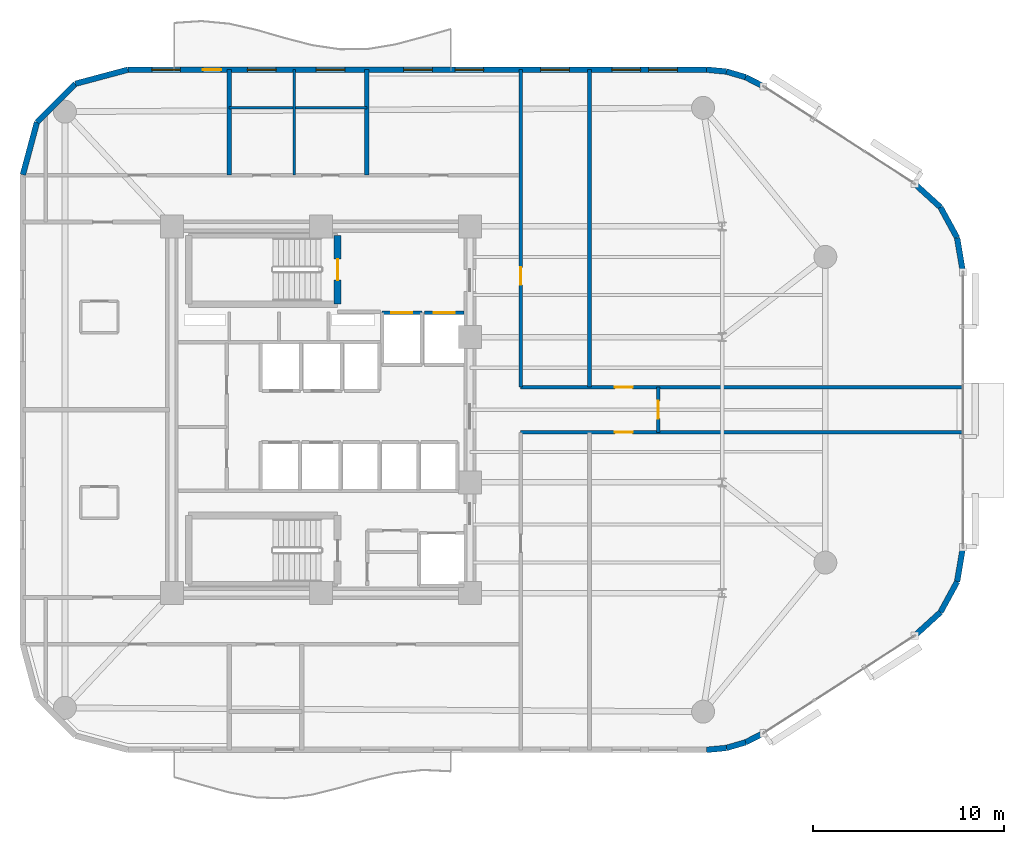
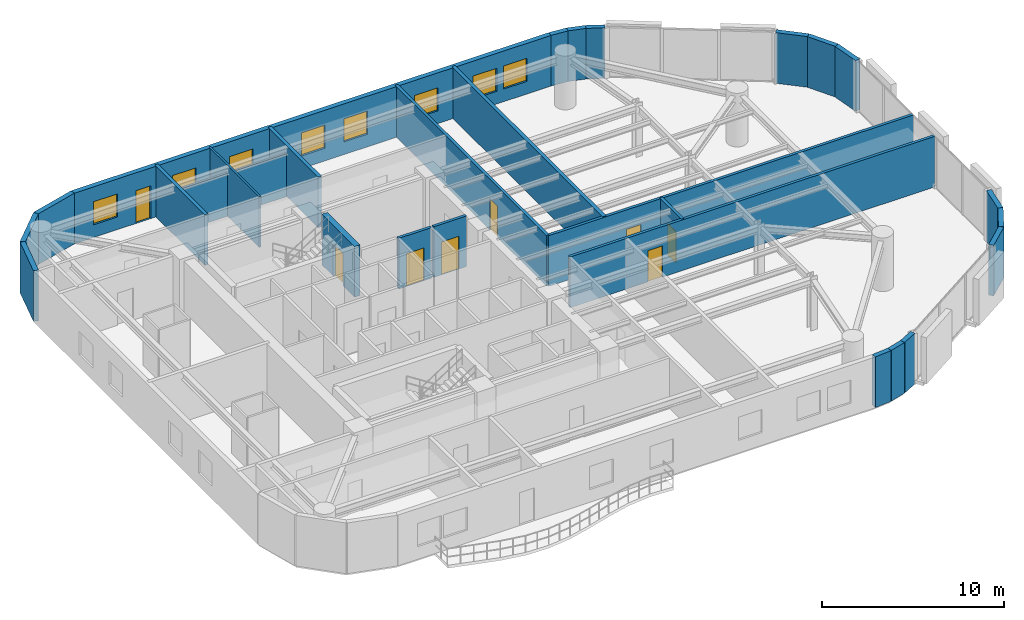
# One storey, part 12 of 15: 28 walls, 8 doors, 8 windows, 16 openings.
"""IFC4 building model written with IfcOpenShell, lengths in metres."""

from ifc_helpers import new_model, si_unit, direction, frame, frame_2d, origin, place, context, subcontext, project, spatial, rectangle, extrude, material, layer, layer_set, type_object, element, fill, save


model = new_model("IFC4")

# Units and contexts
model_context = context("Model", 3, precision=1e-05, world=origin(), true_north=direction((0.0, 1.0)))
body_context = subcontext(model_context, "Body", "Model", "MODEL_VIEW")
ifc_project = project(units=[si_unit("LENGTHUNIT", "METRE"), si_unit("AREAUNIT", "SQUARE_METRE"), si_unit("VOLUMEUNIT", "CUBIC_METRE"), si_unit("PLANEANGLEUNIT", "RADIAN"), si_unit("MASSUNIT", "GRAM", prefix="KILO")], contexts=[model_context])

# Site, building, storey
site_placement = place(None, origin())
site = spatial("IfcSite", under=ifc_project, at=site_placement, CompositionType="ELEMENT")
building_placement = place(site_placement, origin())
building = spatial("IfcBuilding", under=site, at=building_placement, Name="An Khanh Terracotta Commons", CompositionType="ELEMENT")
storey_placement = place(building_placement, frame((0.0, 0.0, 176.199951171875)))
storey = spatial("IfcBuildingStorey", under=building, at=storey_placement, Name="L46", CompositionType="ELEMENT", Elevation=176.199951171875)

# Wall, opening, door
ifc_material_1 = material(Name="Fire-Rated Gypsum Board on Steel Stud", Category="steel")
ifc_layer_1 = layer(ifc_material_1, 0.179931640625, Name="Fire-Rated Gypsum Board on Steel Stud")
ifc_layer_set_1 = layer_set([ifc_layer_1], Name="Fire-Rated Gypsum Board on Steel Stud")
wall_type_1 = type_object("IfcWallType", Name="WALL-CORR-180", PredefinedType="PARTITIONING", material=ifc_layer_set_1)
wall_1_placement = place(storey_placement, frame((32.60009765625, 29.080078125, 0.0), z_axis=(0.0, 0.0, 1.0), x_axis=(1.0, 0.0, 0.0)))
wall_1 = element("IfcWall", 1, at=wall_1_placement, inside=storey, type_object=wall_type_1, Name="L46 Core Wall LSH-L46-FFL-01-N", PredefinedType="PARTITIONING", context=body_context, shape_type="SweptSolid", body=[
    extrude(rectangle(XDim=2.079833984375, YDim=0.179931640625, at=frame_2d((1.0400390625, 0.0))), origin(), (0.0, 0.0, 1.0), 3.400146484375),
])
opening_1_placement = place(wall_1_placement, frame((0.489990234375, 0.0, 0.0)))
opening_1 = element("IfcOpeningElement", 2, at=opening_1_placement, cuts=wall_1, Name="Opening LD-FFL-01-L46", PredefinedType="OPENING", context=body_context, shape_type="SweptSolid", body=[
    extrude(rectangle(XDim=1.10009765625, YDim=2.199951171875, at=frame_2d((0.550048828125, 1.10009765625))), frame((0.0, 0.099853515625, 0.0), z_axis=(0.0, -1.0, 0.0), x_axis=(1.0, 0.0, 0.0)), (0.0, 0.0, 1.0), 0.199951171875),
])
ifc_material_2 = material(Name="Brushed Stainless Steel Fire Landing Door", Category="steel")
door_type_1 = type_object("IfcDoorType", Name="DOOR-LD-FFL-1100", OperationType="NOTDEFINED", PredefinedType="DOOR", material=ifc_material_2)
door_1_placement = place(opening_1_placement, origin())
door_1 = element("IfcDoor", 3, at=door_1_placement, inside=storey, type_object=door_type_1, Name="L46 Lift FFL-01 Sliding Landing Door", OperationType="DOUBLE_DOOR_SLIDING", OverallHeight=2.199951171875, OverallWidth=1.10009765625, PredefinedType="DOOR", context=body_context, shape_type="SweptSolid", body=[
    extrude(rectangle(XDim=1.10009765625, YDim=2.199951171875, at=frame_2d((0.550048828125, 1.10009765625))), frame((0.0, 0.02490234375, 0.0), z_axis=(0.0, -1.0, 0.0), x_axis=(1.0, 0.0, 0.0)), (0.0, 0.0, 1.0), 0.050048828125),
])
fill(opening_1, door_1)

wall_2_placement = place(storey_placement, frame((34.820068359375, 29.080078125, 0.0), z_axis=(0.0, 0.0, 1.0), x_axis=(1.0, 0.0, 0.0)))
wall_2 = element("IfcWall", 4, at=wall_2_placement, inside=storey, type_object=wall_type_1, Name="L46 Core Wall LSH-L46-FFL-02-N", PredefinedType="PARTITIONING", context=body_context, shape_type="SweptSolid", body=[
    extrude(rectangle(XDim=2.079833984375, YDim=0.179931640625, at=frame_2d((1.0400390625, 0.0))), origin(), (0.0, 0.0, 1.0), 3.400146484375),
])
opening_2_placement = place(wall_2_placement, frame((0.489990234375, 0.0, 0.0)))
opening_2 = element("IfcOpeningElement", 5, at=opening_2_placement, cuts=wall_2, Name="Opening LD-FFL-02-L46", PredefinedType="OPENING", context=body_context, shape_type="SweptSolid", body=[
    extrude(rectangle(XDim=1.10009765625, YDim=2.199951171875, at=frame_2d((0.550048828125, 1.10009765625))), frame((0.0, 0.099853515625, 0.0), z_axis=(0.0, -1.0, 0.0), x_axis=(1.0, 0.0, 0.0)), (0.0, 0.0, 1.0), 0.199951171875),
])
door_2_placement = place(opening_2_placement, origin())
door_2 = element("IfcDoor", 6, at=door_2_placement, inside=storey, type_object=door_type_1, Name="L46 Lift FFL-02 Sliding Landing Door", OperationType="DOUBLE_DOOR_SLIDING", OverallHeight=2.199951171875, OverallWidth=1.10009765625, PredefinedType="DOOR", context=body_context, shape_type="SweptSolid", body=[
    extrude(rectangle(XDim=1.10009765625, YDim=2.199951171875, at=frame_2d((0.550048828125, 1.10009765625))), frame((0.0, 0.02490234375, 0.0), z_axis=(0.0, -1.0, 0.0), x_axis=(1.0, 0.0, 0.0)), (0.0, 0.0, 1.0), 0.050048828125),
])
fill(opening_2, door_2)

wall_3_placement = place(storey_placement, frame((39.85009765625, 22.820068359375, 0.0), z_axis=(0.0, 0.0, 1.0), x_axis=(1.0, 0.0, 0.0)))
wall_3 = element("IfcWall", 7, at=wall_3_placement, inside=storey, type_object=wall_type_1, Name="L46 Interior Partition IW-L46-E004", PredefinedType="PARTITIONING", context=body_context, shape_type="SweptSolid", body=[
    extrude(rectangle(XDim=23.14990234375, YDim=0.179931640625, at=frame_2d((11.574951171875, 0.0))), origin(), (0.0, 0.0, 1.0), 3.400146484375),
])
opening_3_placement = place(wall_3_placement, frame((4.93994140625, 0.0, 0.0)))
opening_3 = element("IfcOpeningElement", 8, at=opening_3_placement, cuts=wall_3, Name="Opening D-RM", PredefinedType="OPENING", context=body_context, shape_type="SweptSolid", body=[
    extrude(rectangle(XDim=0.919921875, YDim=2.10009765625, at=frame_2d((0.4599609375, 1.050048828125))), frame((0.0, 0.099853515625, 0.0), z_axis=(0.0, -1.0, 0.0), x_axis=(1.0, 0.0, 0.0)), (0.0, 0.0, 1.0), 0.199951171875),
])
ifc_material_3 = material(Name="Engineered Hardwood Timber Leaf", Category="wood")
door_type_2 = type_object("IfcDoorType", Name="DOOR-INT-920", OperationType="NOTDEFINED", PredefinedType="DOOR", material=ifc_material_3)
door_3_placement = place(opening_3_placement, origin())
door_3 = element("IfcDoor", 9, at=door_3_placement, inside=storey, type_object=door_type_2, Name="L46 T5SE Group Tutorial Meeting Room Door", OperationType="SINGLE_SWING_LEFT", OverallHeight=2.10009765625, OverallWidth=0.919921875, PredefinedType="DOOR", context=body_context, shape_type="SweptSolid", body=[
    extrude(rectangle(XDim=0.919921875, YDim=2.10009765625, at=frame_2d((0.4599609375, 1.050048828125))), frame((0.0, 0.02490234375, 0.0), z_axis=(0.0, -1.0, 0.0), x_axis=(1.0, 0.0, 0.0)), (0.0, 0.0, 1.0), 0.050048828125),
])
fill(opening_3, door_3)

wall_4_placement = place(storey_placement, frame((39.85009765625, 25.179931640625, 0.0), z_axis=(0.0, 0.0, 1.0), x_axis=(1.0, 0.0, 0.0)))
wall_4 = element("IfcWall", 10, at=wall_4_placement, inside=storey, type_object=wall_type_1, Name="L46 Interior Partition IW-L46-E006", PredefinedType="PARTITIONING", context=body_context, shape_type="SweptSolid", body=[
    extrude(rectangle(XDim=23.14990234375, YDim=0.179931640625, at=frame_2d((11.574951171875, 0.0))), origin(), (0.0, 0.0, 1.0), 3.400146484375),
])
opening_4_placement = place(wall_4_placement, frame((4.93994140625, 0.0, 0.0)))
opening_4 = element("IfcOpeningElement", 11, at=opening_4_placement, cuts=wall_4, Name="Opening D-RM", PredefinedType="OPENING", context=body_context, shape_type="SweptSolid", body=[
    extrude(rectangle(XDim=0.919921875, YDim=2.10009765625, at=frame_2d((0.4599609375, 1.050048828125))), frame((0.0, 0.099853515625, 0.0), z_axis=(0.0, -1.0, 0.0), x_axis=(1.0, 0.0, 0.0)), (0.0, 0.0, 1.0), 0.199951171875),
])
door_4_placement = place(opening_4_placement, origin())
door_4 = element("IfcDoor", 12, at=door_4_placement, inside=storey, type_object=door_type_2, Name="L46 T5NE Group Tutorial Meeting Room Door", OperationType="SINGLE_SWING_LEFT", OverallHeight=2.10009765625, OverallWidth=0.919921875, PredefinedType="DOOR", context=body_context, shape_type="SweptSolid", body=[
    extrude(rectangle(XDim=0.919921875, YDim=2.10009765625, at=frame_2d((0.4599609375, 1.050048828125))), frame((0.0, 0.02490234375, 0.0), z_axis=(0.0, -1.0, 0.0), x_axis=(1.0, 0.0, 0.0)), (0.0, 0.0, 1.0), 0.050048828125),
])
fill(opening_4, door_4)

wall_5_placement = place(storey_placement, frame((39.85009765625, 25.179931640625, 0.0), z_axis=(0.0, 0.0, 1.0), x_axis=(0.0, 1.0, 0.0)))
wall_5 = element("IfcWall", 13, at=wall_5_placement, inside=storey, type_object=wall_type_1, Name="L46 Interior Partition IW-L46-E018", PredefinedType="PARTITIONING", context=body_context, shape_type="SweptSolid", body=[
    extrude(rectangle(XDim=16.6201171875, YDim=0.179931640625, at=frame_2d((8.31005859375, 0.0))), origin(), (0.0, 0.0, 1.0), 3.400146484375),
])
opening_5_placement = place(wall_5_placement, frame((5.35009765625, 0.0, 0.0)))
opening_5 = element("IfcOpeningElement", 14, at=opening_5_placement, cuts=wall_5, Name="Opening D-RM", PredefinedType="OPENING", context=body_context, shape_type="SweptSolid", body=[
    extrude(rectangle(XDim=0.919921875, YDim=2.10009765625, at=frame_2d((0.4599609375, 1.050048828125))), frame((0.0, 0.099853515625, 0.0), z_axis=(0.0, -1.0, 0.0), x_axis=(1.0, 0.0, 0.0)), (0.0, 0.0, 1.0), 0.199951171875),
])
door_5_placement = place(opening_5_placement, origin())
door_5 = element("IfcDoor", 15, at=door_5_placement, inside=storey, type_object=door_type_2, Name="L46 T5NW Group Tutorial Meeting Room Door", OperationType="SINGLE_SWING_LEFT", OverallHeight=2.10009765625, OverallWidth=0.919921875, PredefinedType="DOOR", context=body_context, shape_type="SweptSolid", body=[
    extrude(rectangle(XDim=0.919921875, YDim=2.10009765625, at=frame_2d((0.4599609375, 1.050048828125))), frame((0.0, 0.02490234375, 0.0), z_axis=(0.0, -1.0, 0.0), x_axis=(1.0, 0.0, 0.0)), (0.0, 0.0, 1.0), 0.050048828125),
])
fill(opening_5, door_5)

wall_6_placement = place(storey_placement, frame((47.050048828125, 22.820068359375, 0.0), z_axis=(0.0, 0.0, 1.0), x_axis=(0.0, 1.0, 0.0)))
wall_6 = element("IfcWall", 16, at=wall_6_placement, inside=storey, type_object=wall_type_1, Name="L46 Interior Partition IW-L46-E021", PredefinedType="PARTITIONING", context=body_context, shape_type="SweptSolid", body=[
    extrude(rectangle(XDim=2.35986328125, YDim=0.179931640625, at=frame_2d((1.179931640625, 0.0))), origin(), (0.0, 0.0, 1.0), 3.400146484375),
])
opening_6_placement = place(wall_6_placement, frame((0.719970703125, 0.0, 0.0)))
opening_6 = element("IfcOpeningElement", 17, at=opening_6_placement, cuts=wall_6, Name="Opening D-RM", PredefinedType="OPENING", context=body_context, shape_type="SweptSolid", body=[
    extrude(rectangle(XDim=0.919921875, YDim=2.10009765625, at=frame_2d((0.4599609375, 1.050048828125))), frame((0.0, 0.099853515625, 0.0), z_axis=(0.0, -1.0, 0.0), x_axis=(1.0, 0.0, 0.0)), (0.0, 0.0, 1.0), 0.199951171875),
])
door_6_placement = place(opening_6_placement, origin())
door_6 = element("IfcDoor", 18, at=door_6_placement, inside=storey, type_object=door_type_2, Name="L46 T5ME Academic Seminar Room Door", OperationType="SINGLE_SWING_RIGHT", OverallHeight=2.10009765625, OverallWidth=0.919921875, PredefinedType="DOOR", context=body_context, shape_type="SweptSolid", body=[
    extrude(rectangle(XDim=0.919921875, YDim=2.10009765625, at=frame_2d((0.4599609375, 1.050048828125))), frame((0.0, 0.02490234375, 0.0), z_axis=(0.0, -1.0, 0.0), x_axis=(1.0, 0.0, 0.0)), (0.0, 0.0, 1.0), 0.050048828125),
])
fill(opening_6, door_6)

# Walls
ifc_material_4 = material(Name="Precast concrete C40/50", Category="concrete")
ifc_layer_2 = layer(ifc_material_4, 0.300048828125, Name="Precast concrete C40/50")
ifc_layer_set_2 = layer_set([ifc_layer_2], Name="Precast concrete C40/50")
wall_type_2 = type_object("IfcWallType", Name="WALL-EXT-300", PredefinedType="SOLIDWALL", material=ifc_layer_set_2)
wall_7_placement = place(storey_placement, frame((49.58203125, 6.199951171875, 0.0), z_axis=(0.0, 0.0, 1.0), x_axis=(0.995426089968, 0.095534807324, 0.0)))
element("IfcWall", 19, at=wall_7_placement, inside=storey, type_object=wall_type_2, Name="L46 Insulated Terracotta Exterior Wall 5", PredefinedType="SOLIDWALL", context=body_context, shape_type="SweptSolid", body=[
    extrude(rectangle(XDim=1.0478515625, YDim=0.300048828125, at=frame_2d((0.52392578125, 0.0))), origin(), (0.0, 0.0, 1.0), 3.400146484375),
])
wall_8_placement = place(storey_placement, frame((50.625, 6.300048828125, 0.0), z_axis=(0.0, 0.0, 1.0), x_axis=(0.959528674476, 0.281610942363, 0.0)))
element("IfcWall", 20, at=wall_8_placement, inside=storey, type_object=wall_type_2, Name="L46 Insulated Terracotta Exterior Wall 6", PredefinedType="SOLIDWALL", context=body_context, shape_type="SweptSolid", body=[
    extrude(rectangle(XDim=1.04736328125, YDim=0.300048828125, at=frame_2d((0.523681640625, 0.0))), origin(), (0.0, 0.0, 1.0), 3.400146484375),
])
wall_9_placement = place(storey_placement, frame((51.6298828125, 6.594970703125, 0.0), z_axis=(0.0, 0.0, 1.0), x_axis=(0.888283247196, 0.459296062198, 0.0)))
element("IfcWall", 21, at=wall_9_placement, inside=storey, type_object=wall_type_2, Name="L46 Insulated Terracotta Exterior Wall 7", PredefinedType="SOLIDWALL", context=body_context, shape_type="SweptSolid", body=[
    extrude(rectangle(XDim=1.047119140625, YDim=0.300048828125, at=frame_2d((0.5234375, 0.0))), origin(), (0.0, 0.0, 1.0), 3.400146484375),
])
wall_10_placement = place(storey_placement, frame((60.47802734375, 12.176025390625, 0.0), z_axis=(0.0, 0.0, 1.0), x_axis=(0.73947929393, 0.673179302897, 0.0)))
element("IfcWall", 22, at=wall_10_placement, inside=storey, type_object=wall_type_2, Name="L46 Insulated Terracotta Exterior Wall 9", PredefinedType="SOLIDWALL", context=body_context, shape_type="SweptSolid", body=[
    extrude(rectangle(XDim=1.82275390625, YDim=0.300048828125, at=frame_2d((0.911376953125, 0.0))), origin(), (0.0, 0.0, 1.0), 3.400146484375),
])
wall_11_placement = place(storey_placement, frame((61.825927734375, 13.403076171875, 0.0), z_axis=(0.0, 0.0, 1.0), x_axis=(0.478608030646, 0.878028674362, 0.0)))
element("IfcWall", 23, at=wall_11_placement, inside=storey, type_object=wall_type_2, Name="L46 Insulated Terracotta Exterior Wall 10", PredefinedType="SOLIDWALL", context=body_context, shape_type="SweptSolid", body=[
    extrude(rectangle(XDim=1.822021484375, YDim=0.300048828125, at=frame_2d((0.9111328125, 0.0))), origin(), (0.0, 0.0, 1.0), 3.400146484375),
])
for number, where, z_axis, x_axis, name in (
    (24, (62.697998046875, 15.0029296875, 0.0), (0.0, 0.0, 1.0), (0.165724081207, 0.986172159873, 0.0), "L46 Insulated Terracotta Exterior Wall 11"),
    (25, (63.0, 31.199951171875, 0.0), (0.0, 0.0, 1.0), (-0.165724081207, 0.986172159873, 0.0), "L46 Insulated Terracotta Exterior Wall 13"),
):
    element("IfcWall", number, at=place(storey_placement, frame(where, z_axis=z_axis, x_axis=x_axis)), inside=storey, type_object=wall_type_2, Name=name, PredefinedType="SOLIDWALL", context=body_context, shape_type="SweptSolid", body=[
        extrude(rectangle(XDim=1.822265625, YDim=0.300048828125, at=frame_2d((0.9111328125, 0.0))), origin(), (0.0, 0.0, 1.0), 3.400146484375),
    ])
wall_12_placement = place(storey_placement, frame((62.697998046875, 32.9970703125, 0.0), z_axis=(0.0, 0.0, 1.0), x_axis=(-0.478608030646, 0.878028674362, 0.0)))
element("IfcWall", 26, at=wall_12_placement, inside=storey, type_object=wall_type_2, Name="L46 Insulated Terracotta Exterior Wall 14", PredefinedType="SOLIDWALL", context=body_context, shape_type="SweptSolid", body=[
    extrude(rectangle(XDim=1.822021484375, YDim=0.300048828125, at=frame_2d((0.9111328125, 0.0))), origin(), (0.0, 0.0, 1.0), 3.400146484375),
])
wall_13_placement = place(storey_placement, frame((61.825927734375, 34.596923828125, 0.0), z_axis=(0.0, 0.0, 1.0), x_axis=(-0.73947929393, 0.673179302897, 0.0)))
element("IfcWall", 27, at=wall_13_placement, inside=storey, type_object=wall_type_2, Name="L46 Insulated Terracotta Exterior Wall 15", PredefinedType="SOLIDWALL", context=body_context, shape_type="SweptSolid", body=[
    extrude(rectangle(XDim=1.82275390625, YDim=0.300048828125, at=frame_2d((0.911376953125, 0.0))), origin(), (0.0, 0.0, 1.0), 3.400146484375),
])
wall_14_placement = place(storey_placement, frame((52.56005859375, 40.924072265625, 0.0), z_axis=(0.0, 0.0, 1.0), x_axis=(-0.888283247196, 0.459296062198, 0.0)))
element("IfcWall", 28, at=wall_14_placement, inside=storey, type_object=wall_type_2, Name="L46 Insulated Terracotta Exterior Wall 17", PredefinedType="SOLIDWALL", context=body_context, shape_type="SweptSolid", body=[
    extrude(rectangle(XDim=1.047119140625, YDim=0.300048828125, at=frame_2d((0.5234375, 0.0))), origin(), (0.0, 0.0, 1.0), 3.400146484375),
])
wall_15_placement = place(storey_placement, frame((51.6298828125, 41.405029296875, 0.0), z_axis=(0.0, 0.0, 1.0), x_axis=(-0.959528674476, 0.281610942363, 0.0)))
element("IfcWall", 29, at=wall_15_placement, inside=storey, type_object=wall_type_2, Name="L46 Insulated Terracotta Exterior Wall 18", PredefinedType="SOLIDWALL", context=body_context, shape_type="SweptSolid", body=[
    extrude(rectangle(XDim=1.04736328125, YDim=0.300048828125, at=frame_2d((0.523681640625, 0.0))), origin(), (0.0, 0.0, 1.0), 3.400146484375),
])
wall_16_placement = place(storey_placement, frame((50.625, 41.699951171875, 0.0), z_axis=(0.0, 0.0, 1.0), x_axis=(-0.995426089968, 0.095534807324, 0.0)))
element("IfcWall", 30, at=wall_16_placement, inside=storey, type_object=wall_type_2, Name="L46 Insulated Terracotta Exterior Wall 19", PredefinedType="SOLIDWALL", context=body_context, shape_type="SweptSolid", body=[
    extrude(rectangle(XDim=1.0478515625, YDim=0.300048828125, at=frame_2d((0.52392578125, 0.0))), origin(), (0.0, 0.0, 1.0), 3.400146484375),
])

# Wall, openings, door, windows
wall_17_placement = place(storey_placement, frame((49.58203125, 41.800048828125, 0.0), z_axis=(0.0, 0.0, 1.0), x_axis=(-1.0, 0.0, 0.0)))
wall_17 = element("IfcWall", 31, at=wall_17_placement, inside=storey, type_object=wall_type_2, Name="L46 Insulated Terracotta Exterior Wall 20", PredefinedType="SOLIDWALL", context=body_context, shape_type="SweptSolid", body=[
    extrude(rectangle(XDim=30.281982421875, YDim=0.300048828125, at=frame_2d((15.14111328125, 0.0))), origin(), (0.0, 0.0, 1.0), 3.400146484375),
])
opening_7_placement = place(wall_17_placement, frame((25.406982421875, 0.0, 0.0)))
opening_7 = element("IfcOpeningElement", 32, at=opening_7_placement, cuts=wall_17, Name="Opening D-BAL", PredefinedType="OPENING", context=body_context, shape_type="SweptSolid", body=[
    extrude(rectangle(XDim=0.949951171875, YDim=2.199951171875, at=frame_2d((0.47509765625, 1.10009765625))), frame((0.0, 0.159912109375, 0.0), z_axis=(0.0, -1.0, 0.0), x_axis=(1.0, 0.0, 0.0)), (0.0, 0.0, 1.0), 0.320068359375),
])
opening_8_placement = place(wall_17_placement, frame((1.527099609375, 0.0, 0.85009765625)))
opening_8 = element("IfcOpeningElement", 33, at=opening_8_placement, cuts=wall_17, Name="Opening W-03", PredefinedType="OPENING", context=body_context, shape_type="SweptSolid", body=[
    extrude(rectangle(XDim=1.5, YDim=1.550048828125, at=frame_2d((0.75, 0.77490234375))), frame((0.0, 0.159912109375, 0.0), z_axis=(0.0, -1.0, 0.0), x_axis=(1.0, 0.0, 0.0)), (0.0, 0.0, 1.0), 0.320068359375),
])
opening_9_placement = place(wall_17_placement, frame((3.455078125, 0.0, 0.85009765625)))
opening_9 = element("IfcOpeningElement", 34, at=opening_9_placement, cuts=wall_17, Name="Opening W-03", PredefinedType="OPENING", context=body_context, shape_type="SweptSolid", body=[
    extrude(rectangle(XDim=1.5, YDim=1.550048828125, at=frame_2d((0.75, 0.77490234375))), frame((0.0, 0.159912109375, 0.0), z_axis=(0.0, -1.0, 0.0), x_axis=(1.0, 0.0, 0.0)), (0.0, 0.0, 1.0), 0.320068359375),
])
opening_10_placement = place(wall_17_placement, frame((7.181884765625, 0.0, 0.85009765625)))
opening_10 = element("IfcOpeningElement", 35, at=opening_10_placement, cuts=wall_17, Name="Opening W-03", PredefinedType="OPENING", context=body_context, shape_type="SweptSolid", body=[
    extrude(rectangle(XDim=1.5, YDim=1.550048828125, at=frame_2d((0.75, 0.77490234375))), frame((0.0, 0.159912109375, 0.0), z_axis=(0.0, -1.0, 0.0), x_axis=(1.0, 0.0, 0.0)), (0.0, 0.0, 1.0), 0.320068359375),
])
opening_11_placement = place(wall_17_placement, frame((11.6650390625, 0.0, 0.85009765625)))
opening_11 = element("IfcOpeningElement", 36, at=opening_11_placement, cuts=wall_17, Name="Opening W-03", PredefinedType="OPENING", context=body_context, shape_type="SweptSolid", body=[
    extrude(rectangle(XDim=1.5, YDim=1.550048828125, at=frame_2d((0.75, 0.77490234375))), frame((0.0, 0.159912109375, 0.0), z_axis=(0.0, -1.0, 0.0), x_axis=(1.0, 0.0, 0.0)), (0.0, 0.0, 1.0), 0.320068359375),
])
opening_12_placement = place(wall_17_placement, frame((14.34912109375, 0.0, 0.85009765625)))
opening_12 = element("IfcOpeningElement", 37, at=opening_12_placement, cuts=wall_17, Name="Opening W-03", PredefinedType="OPENING", context=body_context, shape_type="SweptSolid", body=[
    extrude(rectangle(XDim=1.5, YDim=1.550048828125, at=frame_2d((0.75, 0.77490234375))), frame((0.0, 0.159912109375, 0.0), z_axis=(0.0, -1.0, 0.0), x_axis=(1.0, 0.0, 0.0)), (0.0, 0.0, 1.0), 0.320068359375),
])
opening_13_placement = place(wall_17_placement, frame((18.931884765625, 0.0, 0.85009765625)))
opening_13 = element("IfcOpeningElement", 38, at=opening_13_placement, cuts=wall_17, Name="Opening W-03", PredefinedType="OPENING", context=body_context, shape_type="SweptSolid", body=[
    extrude(rectangle(XDim=1.5, YDim=1.550048828125, at=frame_2d((0.75, 0.77490234375))), frame((0.0, 0.159912109375, 0.0), z_axis=(0.0, -1.0, 0.0), x_axis=(1.0, 0.0, 0.0)), (0.0, 0.0, 1.0), 0.320068359375),
])
opening_14_placement = place(wall_17_placement, frame((22.531982421875, 0.0, 0.85009765625)))
opening_14 = element("IfcOpeningElement", 39, at=opening_14_placement, cuts=wall_17, Name="Opening W-03", PredefinedType="OPENING", context=body_context, shape_type="SweptSolid", body=[
    extrude(rectangle(XDim=1.5, YDim=1.550048828125, at=frame_2d((0.75, 0.77490234375))), frame((0.0, 0.159912109375, 0.0), z_axis=(0.0, -1.0, 0.0), x_axis=(1.0, 0.0, 0.0)), (0.0, 0.0, 1.0), 0.320068359375),
])
opening_15_placement = place(wall_17_placement, frame((27.531982421875, 0.0, 0.85009765625)))
opening_15 = element("IfcOpeningElement", 40, at=opening_15_placement, cuts=wall_17, Name="Opening W-03", PredefinedType="OPENING", context=body_context, shape_type="SweptSolid", body=[
    extrude(rectangle(XDim=1.5, YDim=1.550048828125, at=frame_2d((0.75, 0.77490234375))), frame((0.0, 0.159912109375, 0.0), z_axis=(0.0, -1.0, 0.0), x_axis=(1.0, 0.0, 0.0)), (0.0, 0.0, 1.0), 0.320068359375),
])
ifc_material_5 = material(Name="Thermally Broken Aluminium and Low-E Glass", Category="aluminium")
door_type_3 = type_object("IfcDoorType", Name="DOOR-BALC-950", OperationType="NOTDEFINED", PredefinedType="DOOR", material=ifc_material_5)
door_7_placement = place(opening_7_placement, origin())
door_7 = element("IfcDoor", 41, at=door_7_placement, inside=storey, type_object=door_type_3, Name="L46 N Wave Balcony Glazed Door", OperationType="SINGLE_SWING_RIGHT", OverallHeight=2.199951171875, OverallWidth=0.949951171875, PredefinedType="DOOR", context=body_context, shape_type="SweptSolid", body=[
    extrude(rectangle(XDim=0.949951171875, YDim=2.199951171875, at=frame_2d((0.47509765625, 1.10009765625))), frame((0.0, 0.02490234375, 0.0), z_axis=(0.0, -1.0, 0.0), x_axis=(1.0, 0.0, 0.0)), (0.0, 0.0, 1.0), 0.050048828125),
])
fill(opening_7, door_7)
window_type = type_object("IfcWindowType", Name="WIN-Z3-1500x1550", PartitioningType="DOUBLE_PANEL_VERTICAL", PredefinedType="WINDOW", material=ifc_material_5)
window_1_placement = place(opening_8_placement, origin())
window_1 = element("IfcWindow", 42, at=window_1_placement, inside=storey, type_object=window_type, Name="L46 Operable Casement Window 20.1", OverallHeight=1.550048828125, OverallWidth=1.5, PartitioningType="DOUBLE_PANEL_VERTICAL", PredefinedType="WINDOW", context=body_context, shape_type="SweptSolid", body=[
    extrude(rectangle(XDim=1.5, YDim=1.550048828125, at=frame_2d((0.75, 0.77490234375))), frame((0.0, 0.030029296875, 0.0), z_axis=(0.0, -1.0, 0.0), x_axis=(1.0, 0.0, 0.0)), (0.0, 0.0, 1.0), 0.06005859375),
])
fill(opening_8, window_1)
window_2_placement = place(opening_9_placement, origin())
window_2 = element("IfcWindow", 43, at=window_2_placement, inside=storey, type_object=window_type, Name="L46 Operable Casement Window 20.2", OverallHeight=1.550048828125, OverallWidth=1.5, PartitioningType="DOUBLE_PANEL_VERTICAL", PredefinedType="WINDOW", context=body_context, shape_type="SweptSolid", body=[
    extrude(rectangle(XDim=1.5, YDim=1.550048828125, at=frame_2d((0.75, 0.77490234375))), frame((0.0, 0.030029296875, 0.0), z_axis=(0.0, -1.0, 0.0), x_axis=(1.0, 0.0, 0.0)), (0.0, 0.0, 1.0), 0.06005859375),
])
fill(opening_9, window_2)
window_3_placement = place(opening_10_placement, origin())
window_3 = element("IfcWindow", 44, at=window_3_placement, inside=storey, type_object=window_type, Name="L46 Operable Casement Window 20.3", OverallHeight=1.550048828125, OverallWidth=1.5, PartitioningType="DOUBLE_PANEL_VERTICAL", PredefinedType="WINDOW", context=body_context, shape_type="SweptSolid", body=[
    extrude(rectangle(XDim=1.5, YDim=1.550048828125, at=frame_2d((0.75, 0.77490234375))), frame((0.0, 0.030029296875, 0.0), z_axis=(0.0, -1.0, 0.0), x_axis=(1.0, 0.0, 0.0)), (0.0, 0.0, 1.0), 0.06005859375),
])
fill(opening_10, window_3)
window_4_placement = place(opening_11_placement, origin())
window_4 = element("IfcWindow", 45, at=window_4_placement, inside=storey, type_object=window_type, Name="L46 Operable Casement Window 20.4", OverallHeight=1.550048828125, OverallWidth=1.5, PartitioningType="DOUBLE_PANEL_VERTICAL", PredefinedType="WINDOW", context=body_context, shape_type="SweptSolid", body=[
    extrude(rectangle(XDim=1.5, YDim=1.550048828125, at=frame_2d((0.75, 0.77490234375))), frame((0.0, 0.030029296875, 0.0), z_axis=(0.0, -1.0, 0.0), x_axis=(1.0, 0.0, 0.0)), (0.0, 0.0, 1.0), 0.06005859375),
])
fill(opening_11, window_4)
window_5_placement = place(opening_12_placement, origin())
window_5 = element("IfcWindow", 46, at=window_5_placement, inside=storey, type_object=window_type, Name="L46 Operable Casement Window 20.5", OverallHeight=1.550048828125, OverallWidth=1.5, PartitioningType="DOUBLE_PANEL_VERTICAL", PredefinedType="WINDOW", context=body_context, shape_type="SweptSolid", body=[
    extrude(rectangle(XDim=1.5, YDim=1.550048828125, at=frame_2d((0.75, 0.77490234375))), frame((0.0, 0.030029296875, 0.0), z_axis=(0.0, -1.0, 0.0), x_axis=(1.0, 0.0, 0.0)), (0.0, 0.0, 1.0), 0.06005859375),
])
fill(opening_12, window_5)
window_6_placement = place(opening_13_placement, origin())
window_6 = element("IfcWindow", 47, at=window_6_placement, inside=storey, type_object=window_type, Name="L46 Operable Casement Window 20.6", OverallHeight=1.550048828125, OverallWidth=1.5, PartitioningType="DOUBLE_PANEL_VERTICAL", PredefinedType="WINDOW", context=body_context, shape_type="SweptSolid", body=[
    extrude(rectangle(XDim=1.5, YDim=1.550048828125, at=frame_2d((0.75, 0.77490234375))), frame((0.0, 0.030029296875, 0.0), z_axis=(0.0, -1.0, 0.0), x_axis=(1.0, 0.0, 0.0)), (0.0, 0.0, 1.0), 0.06005859375),
])
fill(opening_13, window_6)
window_7_placement = place(opening_14_placement, origin())
window_7 = element("IfcWindow", 48, at=window_7_placement, inside=storey, type_object=window_type, Name="L46 Operable Casement Window 20.7", OverallHeight=1.550048828125, OverallWidth=1.5, PartitioningType="DOUBLE_PANEL_VERTICAL", PredefinedType="WINDOW", context=body_context, shape_type="SweptSolid", body=[
    extrude(rectangle(XDim=1.5, YDim=1.550048828125, at=frame_2d((0.75, 0.77490234375))), frame((0.0, 0.030029296875, 0.0), z_axis=(0.0, -1.0, 0.0), x_axis=(1.0, 0.0, 0.0)), (0.0, 0.0, 1.0), 0.06005859375),
])
fill(opening_14, window_7)
window_8_placement = place(opening_15_placement, origin())
window_8 = element("IfcWindow", 49, at=window_8_placement, inside=storey, type_object=window_type, Name="L46 Operable Casement Window 20.8", OverallHeight=1.550048828125, OverallWidth=1.5, PartitioningType="DOUBLE_PANEL_VERTICAL", PredefinedType="WINDOW", context=body_context, shape_type="SweptSolid", body=[
    extrude(rectangle(XDim=1.5, YDim=1.550048828125, at=frame_2d((0.75, 0.77490234375))), frame((0.0, 0.030029296875, 0.0), z_axis=(0.0, -1.0, 0.0), x_axis=(1.0, 0.0, 0.0)), (0.0, 0.0, 1.0), 0.06005859375),
])
fill(opening_15, window_8)

# Walls
wall_18_placement = place(storey_placement, frame((19.300048828125, 41.800048828125, 0.0), z_axis=(0.0, 0.0, 1.0), x_axis=(-0.965908238586, -0.258884674387, 0.0)))
element("IfcWall", 50, at=wall_18_placement, inside=storey, type_object=wall_type_2, Name="L46 Insulated Terracotta Exterior Wall 21", PredefinedType="SOLIDWALL", context=body_context, shape_type="SweptSolid", body=[
    extrude(rectangle(XDim=2.84716796875, YDim=0.300048828125, at=frame_2d((1.423583984375, 0.0))), origin(), (0.0, 0.0, 1.0), 3.400146484375),
])
wall_19_placement = place(storey_placement, frame((16.550048828125, 41.06298828125, 0.0), z_axis=(0.0, 0.0, 1.0), x_axis=(-0.707106781187, -0.707106781187, 0.0)))
element("IfcWall", 51, at=wall_19_placement, inside=storey, type_object=wall_type_2, Name="L46 Insulated Terracotta Exterior Wall 22", PredefinedType="SOLIDWALL", context=body_context, shape_type="SweptSolid", body=[
    extrude(rectangle(XDim=2.8466796875, YDim=0.300048828125, at=frame_2d((1.42333984375, 0.0))), origin(), (0.0, 0.0, 1.0), 3.400146484375),
])
wall_20_placement = place(storey_placement, frame((14.537109375, 39.050048828125, 0.0), z_axis=(0.0, 0.0, 1.0), x_axis=(-0.258884674387, -0.965908238586, 0.0)))
element("IfcWall", 52, at=wall_20_placement, inside=storey, type_object=wall_type_2, Name="L46 Insulated Terracotta Exterior Wall 23", PredefinedType="SOLIDWALL", context=body_context, shape_type="SweptSolid", body=[
    extrude(rectangle(XDim=2.84716796875, YDim=0.300048828125, at=frame_2d((1.423583984375, 0.0))), origin(), (0.0, 0.0, 1.0), 3.400146484375),
])
ifc_material_6 = material(Name="Acoustic Double-Stud Gypsum and Mineral Wool")
ifc_layer_3 = layer(ifc_material_6, 0.219970703125, Name="Acoustic Double-Stud Gypsum and Mineral Wool")
ifc_layer_set_3 = layer_set([ifc_layer_3], Name="Acoustic Double-Stud Gypsum and Mineral Wool")
wall_type_3 = type_object("IfcWallType", Name="WALL-PARTY-220", PredefinedType="PARTITIONING", material=ifc_layer_set_3)
for number, where, z_axis, x_axis, name in (
    (53, (24.60009765625, 36.280029296875, 0.0), (0.0, 0.0, 1.0), (0.0, 1.0, 0.0), "L46 Interior Partition IW-L46-E013"),
    (54, (31.800048828125, 36.280029296875, 0.0), (0.0, 0.0, 1.0), (0.0, 1.0, 0.0), "L46 Interior Partition IW-L46-E016"),
):
    element("IfcWall", number, at=place(storey_placement, frame(where, z_axis=z_axis, x_axis=x_axis)), inside=storey, type_object=wall_type_3, Name=name, PredefinedType="PARTITIONING", context=body_context, shape_type="SweptSolid", body=[
        extrude(rectangle(XDim=5.52001953125, YDim=0.219970703125, at=frame_2d((2.760009765625, 0.0))), origin(), (0.0, 0.0, 1.0), 3.400146484375),
    ])
wall_21_placement = place(storey_placement, frame((43.449951171875, 25.179931640625, 0.0), z_axis=(0.0, 0.0, 1.0), x_axis=(0.0, 1.0, 0.0)))
element("IfcWall", 55, at=wall_21_placement, inside=storey, type_object=wall_type_3, Name="L46 Interior Partition IW-L46-E020", PredefinedType="PARTITIONING", context=body_context, shape_type="SweptSolid", body=[
    extrude(rectangle(XDim=16.6201171875, YDim=0.219970703125, at=frame_2d((8.31005859375, 0.0))), origin(), (0.0, 0.0, 1.0), 3.400146484375),
])

# Wall, opening, door
ifc_material_7 = material(Name="Concrete C50/60", Category="concrete")
ifc_layer_4 = layer(ifc_material_7, 0.35009765625, Name="Concrete C50/60")
ifc_layer_set_4 = layer_set([ifc_layer_4], Name="Concrete C50/60")
wall_type_4 = type_object("IfcWallType", Name="WALL-SHAFT-350", PredefinedType="SOLIDWALL", material=ifc_layer_set_4)
wall_22_placement = place(storey_placement, frame((30.27001953125, 29.530029296875, 0.0), z_axis=(0.0, 0.0, 1.0), x_axis=(0.0, 1.0, 0.0)))
wall_22 = element("IfcWall", 56, at=wall_22_placement, inside=storey, type_object=wall_type_4, Name="L46 Core Wall STW-L46-N-E", PredefinedType="SOLIDWALL", context=body_context, shape_type="SweptSolid", body=[
    extrude(rectangle(XDim=3.580078125, YDim=0.35009765625, at=frame_2d((1.7900390625, 0.0))), origin(), (0.0, 0.0, 1.0), 3.400146484375),
])
opening_16_placement = place(wall_22_placement, frame((1.25, 0.0, 0.0)))
opening_16 = element("IfcOpeningElement", 57, at=opening_16_placement, cuts=wall_22, Name="Opening D-ST", PredefinedType="OPENING", context=body_context, shape_type="SweptSolid", body=[
    extrude(rectangle(XDim=1.10009765625, YDim=2.14990234375, at=frame_2d((0.550048828125, 1.074951171875))), frame((0.0, 0.18505859375, 0.0), z_axis=(0.0, -1.0, 0.0), x_axis=(1.0, 0.0, 0.0)), (0.0, 0.0, 1.0), 0.3701171875),
])
ifc_material_8 = material(Name="Fire-Rated Steel Leaf and Frame", Category="steel")
door_type_4 = type_object("IfcDoorType", Name="DOOR-STAIR-1100", OperationType="NOTDEFINED", PredefinedType="DOOR", material=ifc_material_8)
door_8_placement = place(opening_16_placement, origin())
door_8 = element("IfcDoor", 58, at=door_8_placement, inside=storey, type_object=door_type_4, Name="L46 Stair ST-01 Fire Door", OperationType="SINGLE_SWING_RIGHT", OverallHeight=2.14990234375, OverallWidth=1.10009765625, PredefinedType="DOOR", context=body_context, shape_type="SweptSolid", body=[
    extrude(rectangle(XDim=1.10009765625, YDim=2.14990234375, at=frame_2d((0.550048828125, 1.074951171875))), frame((0.0, 0.02490234375, 0.0), z_axis=(0.0, -1.0, 0.0), x_axis=(1.0, 0.0, 0.0)), (0.0, 0.0, 1.0), 0.050048828125),
])
fill(opening_16, door_8)

# Walls
ifc_material_9 = material(Name="Moisture-Resistant Cement Board Partition")
ifc_layer_5 = layer(ifc_material_9, 0.1201171875, Name="Moisture-Resistant Cement Board Partition")
ifc_layer_set_5 = layer_set([ifc_layer_5], Name="Moisture-Resistant Cement Board Partition")
wall_type_5 = type_object("IfcWallType", Name="WALL-WET-120", PredefinedType="PARTITIONING", material=ifc_layer_set_5)
wall_23_placement = place(storey_placement, frame((24.60009765625, 39.800048828125, 0.0), z_axis=(0.0, 0.0, 1.0), x_axis=(1.0, 0.0, 0.0)))
element("IfcWall", 59, at=wall_23_placement, inside=storey, type_object=wall_type_5, Name="L46 Interior Partition IW-L46-E009", PredefinedType="PARTITIONING", context=body_context, shape_type="SweptSolid", body=[
    extrude(rectangle(XDim=7.199951171875, YDim=0.1201171875, at=frame_2d((3.60009765625, 0.0))), origin(), (0.0, 0.0, 1.0), 2.882080078125),
])
wall_24_placement = place(storey_placement, frame((28.0, 36.280029296875, 0.0), z_axis=(0.0, 0.0, 1.0), x_axis=(0.0, 1.0, 0.0)))
element("IfcWall", 60, at=wall_24_placement, inside=storey, type_object=wall_type_5, Name="L46 Interior Partition IW-L46-E014", PredefinedType="PARTITIONING", context=body_context, shape_type="SweptSolid", body=[
    extrude(rectangle(XDim=5.52001953125, YDim=0.1201171875, at=frame_2d((2.760009765625, 0.0))), origin(), (0.0, 0.0, 1.0), 3.400146484375),
])

save(model, "model.ifc")
